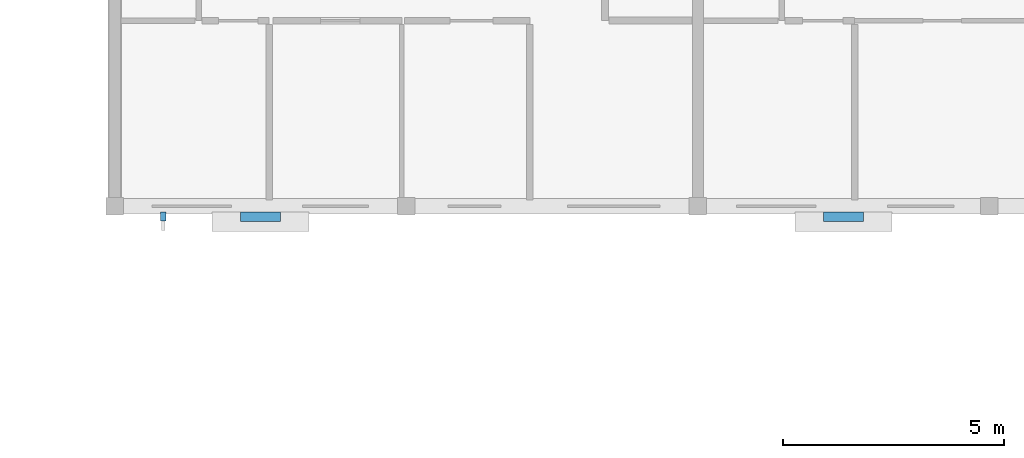
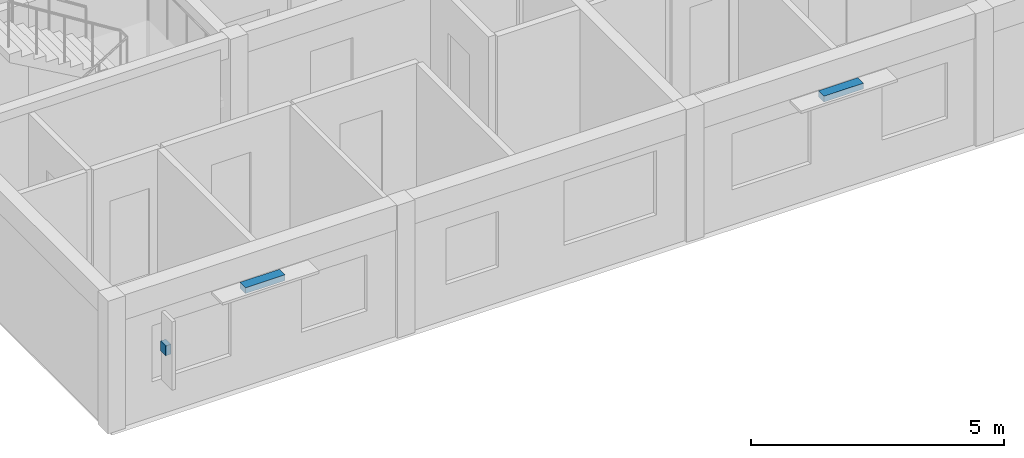
# One storey, part 18 of 22: 3 discrete accessories.
"""IFC4 building model written with IfcOpenShell, lengths in metres."""

from ifc_helpers import new_model, si_unit, direction, frame, origin, origin_2d, place, context, subcontext, project, spatial, rectangle, extrude, material, type_object, element, save


model = new_model("IFC4")

# Units and contexts
model_context = context("Model", 3, precision=1e-05, world=origin(), true_north=direction((0.0, 1.0)))
body_context = subcontext(model_context, "Body", "Model", "MODEL_VIEW")
ifc_project = project(units=[si_unit("LENGTHUNIT", "METRE"), si_unit("AREAUNIT", "SQUARE_METRE"), si_unit("VOLUMEUNIT", "CUBIC_METRE"), si_unit("PLANEANGLEUNIT", "RADIAN"), si_unit("MASSUNIT", "GRAM", prefix="KILO")], contexts=[model_context])

# Site, building, storey
site_placement = place(None, origin())
site = spatial("IfcSite", under=ifc_project, at=site_placement, CompositionType="ELEMENT")
building_placement = place(site_placement, origin())
building = spatial("IfcBuilding", under=site, at=building_placement, Name="Kernevlak Ridge Housing Community", CompositionType="ELEMENT")
storey_placement = place(building_placement, frame((0.0, 0.0, 43.60009765625)))
storey = spatial("IfcBuildingStorey", under=building, at=storey_placement, Name="L13", CompositionType="ELEMENT", Elevation=43.60009765625)

# Discrete accessories
ifc_material = material(Name="Steel S355 galvanised", Category="steel")
discrete_accessory_type = type_object("IfcDiscreteAccessoryType", Name="BK-01", PredefinedType="BRACKET", material=ifc_material)
discrete_accessory_1_placement = place(storey_placement, frame((122.699951171875, 82.360107421875, 2.41015625), z_axis=(0.0, 0.0, 1.0), x_axis=(1.0, 0.0, 0.0)))
element("IfcDiscreteAccessory", 1, at=discrete_accessory_1_placement, inside=storey, type_object=discrete_accessory_type, Name="Sunshade steel bracket 27", PredefinedType="BRACKET", context=body_context, shape_type="SweptSolid", body=[
    extrude(rectangle(XDim=0.89990234375, YDim=0.219970703125, at=origin_2d()), origin(), (0.0, 0.0, 1.0), 0.139892578125),
])
discrete_accessory_2_placement = place(storey_placement, frame((120.5, 82.3701171875, 1.52978515625), z_axis=(0.0, 0.0, 1.0), x_axis=(1.0, 0.0, 0.0)))
element("IfcDiscreteAccessory", 2, at=discrete_accessory_2_placement, inside=storey, type_object=discrete_accessory_type, Name="Vertical fin fixing bracket 27", PredefinedType="BRACKET", context=body_context, shape_type="SweptSolid", body=[
    extrude(rectangle(XDim=0.1201171875, YDim=0.199951171875, at=origin_2d()), origin(), (0.0, 0.0, 1.0), 0.239990234375),
])
discrete_accessory_3_placement = place(storey_placement, frame((135.89990234375, 82.360107421875, 2.41015625), z_axis=(0.0, 0.0, 1.0), x_axis=(1.0, 0.0, 0.0)))
element("IfcDiscreteAccessory", 3, at=discrete_accessory_3_placement, inside=storey, type_object=discrete_accessory_type, Name="Sunshade steel bracket 28", PredefinedType="BRACKET", context=body_context, shape_type="SweptSolid", body=[
    extrude(rectangle(XDim=0.89990234375, YDim=0.219970703125, at=origin_2d()), origin(), (0.0, 0.0, 1.0), 0.139892578125),
])

save(model, "model.ifc")
